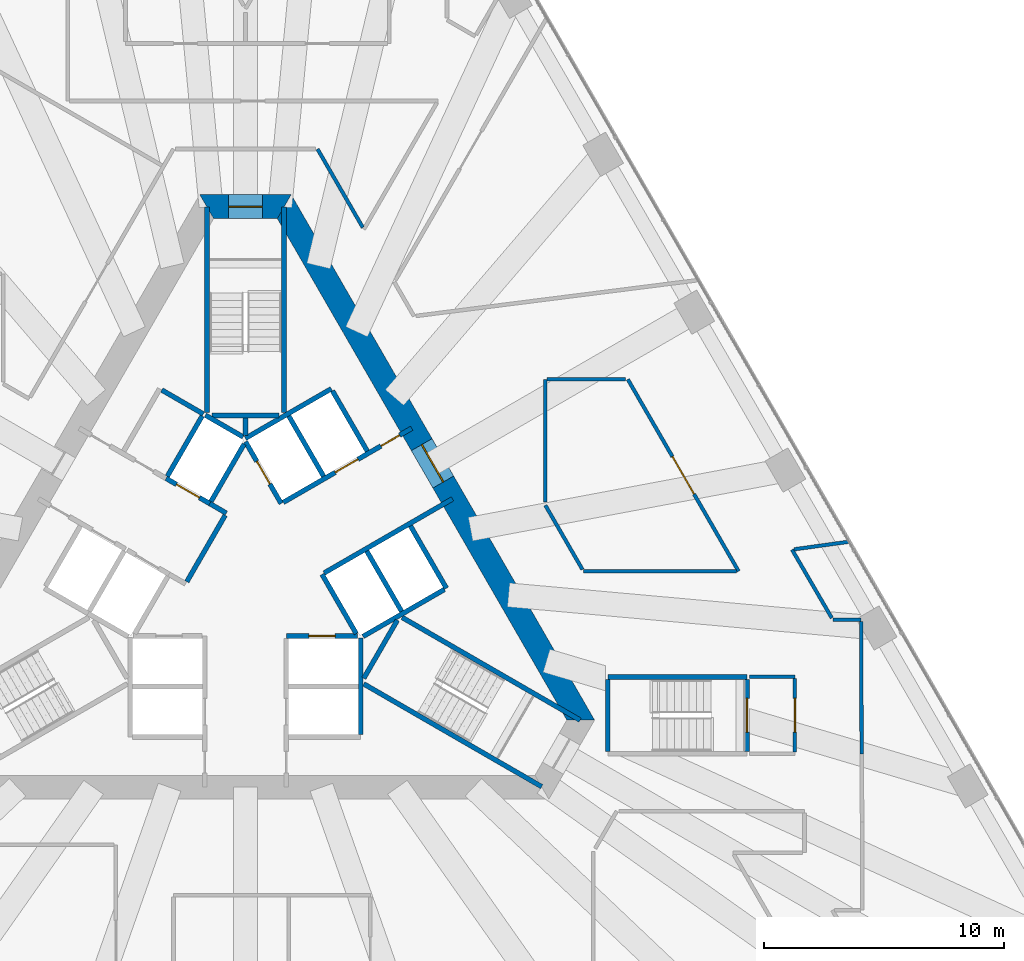
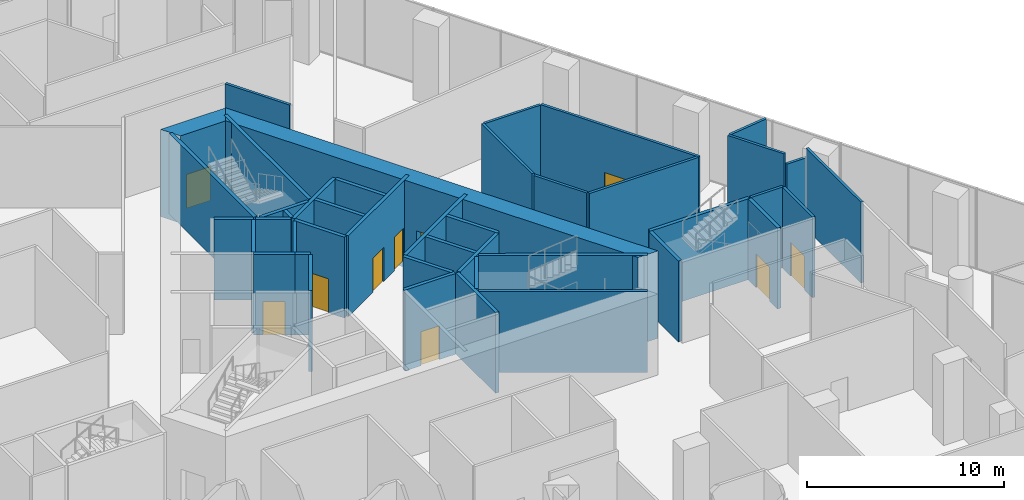
# One storey, part 24 of 29: 43 walls, 10 doors, 10 openings.
"""IFC4 building model written with IfcOpenShell, lengths in metres."""

from ifc_helpers import new_model, si_unit, direction, frame, frame_2d, origin, place, context, subcontext, project, spatial, polyline, rectangle, outline, extrude, material, layer, layer_set, type_object, element, fill, save


model = new_model("IFC4")

# Units and contexts
model_context = context("Model", 3, precision=1e-05, world=origin(), true_north=direction((0.0, 1.0)))
body_context = subcontext(model_context, "Body", "Model", "MODEL_VIEW")
ifc_project = project(units=[si_unit("LENGTHUNIT", "METRE"), si_unit("AREAUNIT", "SQUARE_METRE"), si_unit("VOLUMEUNIT", "CUBIC_METRE"), si_unit("PLANEANGLEUNIT", "RADIAN"), si_unit("MASSUNIT", "GRAM", prefix="KILO")], contexts=[model_context])

# Site, building, storey
site_placement = place(None, origin())
site = spatial("IfcSite", under=ifc_project, at=site_placement, CompositionType="ELEMENT")
building_placement = place(site_placement, origin())
building = spatial("IfcBuilding", under=site, at=building_placement, Name="Triada Interchange Tower", CompositionType="ELEMENT")
storey_placement = place(building_placement, frame((0.0, 0.0, 19.89990234375)))
storey = spatial("IfcBuildingStorey", under=building, at=storey_placement, Name="L03", CompositionType="ELEMENT", Elevation=19.89990234375)

# Wall, opening, door
ifc_material_1 = material(Name="Concrete C30/37", Category="concrete")
ifc_layer_1 = layer(ifc_material_1, 0.199951171875)
ifc_layer_set_1 = layer_set([ifc_layer_1], Name="CORE WALL 200 EI 120")
wall_type_1 = type_object("IfcWallType", Name="CORE WALL 200 EI 120", PredefinedType="SOLIDWALL", material=ifc_layer_set_1)
wall_1_placement = place(storey_placement, frame((1.702880859375, -2.699951171875, 0.0), z_axis=(0.0, 0.0, 1.0), x_axis=(1.0, 0.0, 0.0)))
wall_1 = element("IfcWall", 1, at=wall_1_placement, inside=storey, type_object=wall_type_1, Name="Wall L03 123", PredefinedType="SOLIDWALL", context=body_context, shape_type="SweptSolid", body=[
    extrude(rectangle(XDim=2.97314453125, YDim=0.199951171875, at=frame_2d((1.486572265625, 0.0))), origin(), (0.0, 0.0, 1.0), 5.0),
])
opening_1_placement = place(wall_1_placement, frame((0.93603515625, 0.0, 0.0)))
opening_1 = element("IfcOpeningElement", 2, at=opening_1_placement, cuts=wall_1, Name="Opening LD-LR1", PredefinedType="OPENING", context=body_context, shape_type="SweptSolid", body=[
    extrude(rectangle(XDim=1.10009765625, YDim=2.10009765625, at=frame_2d((0.550048828125, 1.050048828125))), frame((0.0, 0.10986328125, 0.0), z_axis=(0.0, -1.0, 0.0), x_axis=(1.0, 0.0, 0.0)), (0.0, 0.0, 1.0), 0.219970703125),
])
ifc_material_2 = material(Name="Steel S235 door leaf", Category="steel")
door_type_1 = type_object("IfcDoorType", Name="LIFT LANDING DOOR 1100 EI 120", OperationType="SLIDING_TO_LEFT", PredefinedType="DOOR", material=ifc_material_2)
door_1_placement = place(opening_1_placement, origin())
door_1 = element("IfcDoor", 3, at=door_1_placement, inside=storey, type_object=door_type_1, Name="LR1 landing door L03", OperationType="SLIDING_TO_LEFT", OverallHeight=2.10009765625, OverallWidth=1.10009765625, PredefinedType="DOOR", context=body_context, shape_type="SweptSolid", body=[
    extrude(rectangle(XDim=1.10009765625, YDim=2.10009765625, at=frame_2d((0.550048828125, 1.050048828125))), frame((0.0, 0.02490234375, 0.0), z_axis=(0.0, -1.0, 0.0), x_axis=(1.0, 0.0, 0.0)), (0.0, 0.0, 1.0), 0.050048828125),
])
fill(opening_1, door_1)

# Wall
wall_2_placement = place(storey_placement, frame((-0.001953125, 5.5419921875, 0.0), z_axis=(0.0, 0.0, 1.0), x_axis=(0.866103910842, 0.499863997127, 0.0)))
element("IfcWall", 4, at=wall_2_placement, inside=storey, type_object=wall_type_1, Name="Wall L03 124", PredefinedType="SOLIDWALL", context=body_context, shape_type="SweptSolid", body=[
    extrude(rectangle(XDim=4.131103515625, YDim=0.199951171875, at=frame_2d((2.0654296875, 0.0))), origin(), (0.0, 0.0, 1.0), 5.0),
])

# Wall, opening, door
wall_3_placement = place(storey_placement, frame((0.0, 5.39990234375, 0.0), z_axis=(0.0, 0.0, 1.0), x_axis=(0.500103862429, -0.865965430478, 0.0)))
wall_3 = element("IfcWall", 5, at=wall_3_placement, inside=storey, type_object=wall_type_1, Name="Wall L03 125", PredefinedType="SOLIDWALL", context=body_context, shape_type="SweptSolid", body=[
    extrude(rectangle(XDim=2.973388671875, YDim=0.199951171875, at=frame_2d((1.48681640625, 0.0))), origin(), (0.0, 0.0, 1.0), 5.0),
])
opening_2_placement = place(wall_3_placement, frame((0.93701171875, 0.0, 0.0)))
opening_2 = element("IfcOpeningElement", 6, at=opening_2_placement, cuts=wall_3, Name="Opening LD-LR5", PredefinedType="OPENING", context=body_context, shape_type="SweptSolid", body=[
    extrude(rectangle(XDim=1.10009765625, YDim=2.10009765625, at=frame_2d((0.550048828125, 1.050048828125))), frame((0.0, 0.10986328125, 0.0), z_axis=(0.0, -1.0, 0.0), x_axis=(1.0, 0.0, 0.0)), (0.0, 0.0, 1.0), 0.219970703125),
])
door_2_placement = place(opening_2_placement, origin())
door_2 = element("IfcDoor", 7, at=door_2_placement, inside=storey, type_object=door_type_1, Name="LR5 landing door L03", OperationType="SLIDING_TO_LEFT", OverallHeight=2.10009765625, OverallWidth=1.10009765625, PredefinedType="DOOR", context=body_context, shape_type="SweptSolid", body=[
    extrude(rectangle(XDim=1.10009765625, YDim=2.10009765625, at=frame_2d((0.550048828125, 1.050048828125))), frame((0.0, 0.02490234375, 0.0), z_axis=(0.0, -1.0, 0.0), x_axis=(1.0, 0.0, 0.0)), (0.0, 0.0, 1.0), 0.050048828125),
])
fill(opening_2, door_2)

# Wall
wall_4_placement = place(storey_placement, frame((3.18994140625, -0.125, 0.0), z_axis=(0.0, 0.0, 1.0), x_axis=(0.499988658015, -0.866031951983, 0.0)))
element("IfcWall", 8, at=wall_4_placement, inside=storey, type_object=wall_type_1, Name="Wall L03 126", PredefinedType="SOLIDWALL", context=body_context, shape_type="SweptSolid", body=[
    extrude(rectangle(XDim=2.85791015625, YDim=0.199951171875, at=frame_2d((1.428955078125, 0.0))), origin(), (0.0, 0.0, 1.0), 5.0),
])

# Wall, openings, doors
wall_5_placement = place(storey_placement, frame((1.577880859375, 2.8740234375, 0.0), z_axis=(0.0, 0.0, 1.0), x_axis=(0.866055259465, 0.499948284879, 0.0)))
wall_5 = element("IfcWall", 9, at=wall_5_placement, inside=storey, type_object=wall_type_1, Name="Wall L03 127", PredefinedType="SOLIDWALL", context=body_context, shape_type="SweptSolid", body=[
    extrude(rectangle(XDim=6.176513671875, YDim=0.199951171875, at=frame_2d((3.08837890625, 0.0))), origin(), (0.0, 0.0, 1.0), 5.0),
])
opening_3_placement = place(wall_5_placement, frame((2.49609375, 0.0, 0.0)))
opening_3 = element("IfcOpeningElement", 10, at=opening_3_placement, cuts=wall_5, Name="Opening LD-LR6", PredefinedType="OPENING", context=body_context, shape_type="SweptSolid", body=[
    extrude(rectangle(XDim=1.10009765625, YDim=2.10009765625, at=frame_2d((0.550048828125, 1.050048828125))), frame((0.0, 0.10986328125, 0.0), z_axis=(0.0, -1.0, 0.0), x_axis=(1.0, 0.0, 0.0)), (0.0, 0.0, 1.0), 0.219970703125),
])
opening_4_placement = place(wall_5_placement, frame((4.696044921875, 0.0, 0.0)))
opening_4 = element("IfcOpeningElement", 11, at=opening_4_placement, cuts=wall_5, Name="Opening D03-48", PredefinedType="OPENING", context=body_context, shape_type="SweptSolid", body=[
    extrude(rectangle(XDim=0.89990234375, YDim=2.10009765625, at=frame_2d((0.449951171875, 1.050048828125))), frame((0.0, 0.10986328125, 0.0), z_axis=(0.0, -1.0, 0.0), x_axis=(1.0, 0.0, 0.0)), (0.0, 0.0, 1.0), 0.219970703125),
])
door_3_placement = place(opening_3_placement, origin())
door_3 = element("IfcDoor", 12, at=door_3_placement, inside=storey, type_object=door_type_1, Name="LR6 landing door L03", OperationType="SLIDING_TO_LEFT", OverallHeight=2.10009765625, OverallWidth=1.10009765625, PredefinedType="DOOR", context=body_context, shape_type="SweptSolid", body=[
    extrude(rectangle(XDim=1.10009765625, YDim=2.10009765625, at=frame_2d((0.550048828125, 1.050048828125))), frame((0.0, 0.02490234375, 0.0), z_axis=(0.0, -1.0, 0.0), x_axis=(1.0, 0.0, 0.0)), (0.0, 0.0, 1.0), 0.050048828125),
])
fill(opening_3, door_3)
door_type_2 = type_object("IfcDoorType", Name="SERVICE DOOR 900 EI2 45-C5S200", OperationType="NOTDEFINED", PredefinedType="DOOR", material=ifc_material_2)
door_4_placement = place(opening_4_placement, origin())
door_4 = element("IfcDoor", 13, at=door_4_placement, inside=storey, type_object=door_type_2, Name="Door D03-48 L03", OperationType="SINGLE_SWING_LEFT", OverallHeight=2.10009765625, OverallWidth=0.89990234375, PredefinedType="DOOR", context=body_context, shape_type="SweptSolid", body=[
    extrude(rectangle(XDim=0.89990234375, YDim=2.10009765625, at=frame_2d((0.449951171875, 1.050048828125))), frame((0.0, 0.02490234375, 0.0), z_axis=(0.0, -1.0, 0.0), x_axis=(1.0, 0.0, 0.0)), (0.0, 0.0, 1.0), 0.050048828125),
])
fill(opening_4, door_4)

# Walls
wall_6_placement = place(storey_placement, frame((4.800048828125, -6.800048828125, 0.0), z_axis=(0.0, 0.0, 1.0), x_axis=(0.0, 1.0, 0.0)))
element("IfcWall", 14, at=wall_6_placement, inside=storey, type_object=wall_type_1, Name="Wall L03 129", PredefinedType="SOLIDWALL", context=body_context, shape_type="SweptSolid", body=[
    extrude(rectangle(XDim=4.029052734375, YDim=0.199951171875, at=frame_2d((2.0146484375, 0.0))), origin(), (0.0, 0.0, 1.0), 5.0),
])
wall_7_placement = place(storey_placement, frame((3.278076171875, -0.071044921875, 0.0), z_axis=(0.0, 0.0, 1.0), x_axis=(0.865959795517, 0.500113619639, 0.0)))
element("IfcWall", 15, at=wall_7_placement, inside=storey, type_object=wall_type_1, Name="Wall L03 130", PredefinedType="SOLIDWALL", context=body_context, shape_type="SweptSolid", body=[
    extrude(rectangle(XDim=6.1767578125, YDim=0.199951171875, at=frame_2d((3.08837890625, 0.0))), origin(), (0.0, 0.0, 1.0), 5.0),
])
wall_8_placement = place(storey_placement, frame((3.6259765625, 7.52001953125, 0.0), z_axis=(0.0, 0.0, 1.0), x_axis=(0.500060147554, -0.865990674793, 0.0)))
element("IfcWall", 16, at=wall_8_placement, inside=storey, type_object=wall_type_1, Name="Wall L03 131", PredefinedType="SOLIDWALL", context=body_context, shape_type="SweptSolid", body=[
    extrude(rectangle(XDim=2.899658203125, YDim=0.199951171875, at=frame_2d((1.44970703125, 0.0))), origin(), (0.0, 0.0, 1.0), 5.0),
])
wall_9_placement = place(storey_placement, frame((6.8759765625, 1.89111328125, 0.0), z_axis=(0.0, 0.0, 1.0), x_axis=(0.499990139034, -0.866031096941, 0.0)))
element("IfcWall", 17, at=wall_9_placement, inside=storey, type_object=wall_type_1, Name="Wall L03 132", PredefinedType="SOLIDWALL", context=body_context, shape_type="SweptSolid", body=[
    extrude(rectangle(XDim=3.0, YDim=0.199951171875, at=frame_2d((1.5, 0.0))), origin(), (0.0, 0.0, 1.0), 5.0),
])
for number, where, z_axis, x_axis, name in (
    (18, (1.806884765625, 6.469970703125, 0.0), (0.0, 0.0, 1.0), (0.50012328804, -0.865954211699, 0.0), "Wall L03 133"),
    (19, (5.056884765625, 0.841064453125, 0.0), (0.0, 0.0, 1.0), (0.50012328804, -0.865954211699, 0.0), "Wall L03 134"),
):
    element("IfcWall", number, at=place(storey_placement, frame(where, z_axis=z_axis, x_axis=x_axis)), inside=storey, type_object=wall_type_1, Name=name, PredefinedType="SOLIDWALL", context=body_context, shape_type="SweptSolid", body=[
        extrude(rectangle(XDim=2.899658203125, YDim=0.199951171875, at=frame_2d((1.44970703125, 0.0))), origin(), (0.0, 0.0, 1.0), 5.0),
    ])
wall_10_placement = place(storey_placement, frame((4.89990234375, -2.714111328125, 0.0), z_axis=(0.0, 0.0, 1.0), x_axis=(0.865992350556, 0.500057245502, 0.0)))
element("IfcWall", 20, at=wall_10_placement, inside=storey, type_object=wall_type_1, Name="Wall L03 135", PredefinedType="SOLIDWALL", context=body_context, shape_type="SweptSolid", body=[
    extrude(rectangle(XDim=3.91357421875, YDim=0.199951171875, at=frame_2d((1.956787109375, 0.0))), origin(), (0.0, 0.0, 1.0), 5.0),
])
ifc_layer_2 = layer(ifc_material_1, 0.199951171875)
ifc_layer_set_2 = layer_set([ifc_layer_2], Name="CORE WALL 200 EI 180")
wall_type_2 = type_object("IfcWallType", Name="CORE WALL 200 EI 180", PredefinedType="SOLIDWALL", material=ifc_layer_set_2)
wall_11_placement = place(storey_placement, frame((-1.488037109375, 2.822021484375, 0.0), z_axis=(0.0, 0.0, 1.0), x_axis=(0.866236612152, -0.499633997809, 0.0)))
element("IfcWall", 21, at=wall_11_placement, inside=storey, type_object=wall_type_2, Name="Wall L03 139", PredefinedType="SOLIDWALL", context=body_context, shape_type="SweptSolid", body=[
    extrude(rectangle(XDim=0.79638671875, YDim=0.199951171875, at=frame_2d((0.398193359375, 0.0))), origin(), (0.0, 0.0, 1.0), 5.0),
])
wall_12_placement = place(storey_placement, frame((-3.489013671875, 7.556884765625, 0.0), z_axis=(0.0, 0.0, 1.0), x_axis=(0.866010750942, -0.50002537861, 0.0)))
element("IfcWall", 22, at=wall_12_placement, inside=storey, type_object=wall_type_2, Name="Wall L03 141", PredefinedType="SOLIDWALL", context=body_context, shape_type="SweptSolid", body=[
    extrude(rectangle(XDim=2.0, YDim=0.199951171875, at=frame_2d((1.0, 0.0))), origin(), (0.0, 0.0, 1.0), 5.0),
])
wall_13_placement = place(storey_placement, frame((-2.444091796875, -0.43310546875, 0.0), z_axis=(0.0, 0.0, 1.0), x_axis=(0.500035624827, 0.866004834804, 0.0)))
element("IfcWall", 23, at=wall_13_placement, inside=storey, type_object=wall_type_2, Name="Wall L03 142", PredefinedType="SOLIDWALL", context=body_context, shape_type="SweptSolid", body=[
    extrude(rectangle(XDim=3.194091796875, YDim=0.199951171875, at=frame_2d((1.59716796875, 0.0))), origin(), (0.0, 0.0, 1.0), 5.0),
])

# Wall, opening, door
wall_14_placement = place(storey_placement, frame((-3.30908203125, 3.873046875, 0.0), z_axis=(0.0, 0.0, 1.0), x_axis=(0.866098583652, -0.499873227325, 0.0)))
wall_14 = element("IfcWall", 24, at=wall_14_placement, inside=storey, type_object=wall_type_2, Name="Shaft wall FF2 L03 147", PredefinedType="SOLIDWALL", context=body_context, shape_type="SweptSolid", body=[
    extrude(rectangle(XDim=2.1025390625, YDim=0.199951171875, at=frame_2d((1.05126953125, 0.0))), origin(), (0.0, 0.0, 1.0), 5.0),
])
opening_5_placement = place(wall_14_placement, frame((0.501953125, 0.0, 0.0)))
opening_5 = element("IfcOpeningElement", 25, at=opening_5_placement, cuts=wall_14, Name="Opening LD-FF2", PredefinedType="OPENING", context=body_context, shape_type="SweptSolid", body=[
    extrude(rectangle(XDim=1.10009765625, YDim=2.10009765625, at=frame_2d((0.550048828125, 1.050048828125))), frame((0.0, 0.10986328125, 0.0), z_axis=(0.0, -1.0, 0.0), x_axis=(1.0, 0.0, 0.0)), (0.0, 0.0, 1.0), 0.219970703125),
])
door_5_placement = place(opening_5_placement, origin())
door_5 = element("IfcDoor", 26, at=door_5_placement, inside=storey, type_object=door_type_1, Name="FF2 landing door L03", OperationType="SLIDING_TO_LEFT", OverallHeight=2.10009765625, OverallWidth=1.10009765625, PredefinedType="DOOR", context=body_context, shape_type="SweptSolid", body=[
    extrude(rectangle(XDim=1.10009765625, YDim=2.10009765625, at=frame_2d((0.550048828125, 1.050048828125))), frame((0.0, 0.02490234375, 0.0), z_axis=(0.0, -1.0, 0.0), x_axis=(1.0, 0.0, 0.0)), (0.0, 0.0, 1.0), 0.050048828125),
])
fill(opening_5, door_5)

# Walls
wall_15_placement = place(storey_placement, frame((-3.257080078125, 3.958984375, 0.0), z_axis=(0.0, 0.0, 1.0), x_axis=(0.50012328804, 0.865954211699, 0.0)))
element("IfcWall", 27, at=wall_15_placement, inside=storey, type_object=wall_type_2, Name="Shaft wall FF2 L03 148", PredefinedType="SOLIDWALL", context=body_context, shape_type="SweptSolid", body=[
    extrude(rectangle(XDim=2.899658203125, YDim=0.199951171875, at=frame_2d((1.44970703125, 0.0))), origin(), (0.0, 0.0, 1.0), 5.0),
])
wall_16_placement = place(storey_placement, frame((-1.669921875, 6.507080078125, 0.0), z_axis=(0.0, 0.0, 1.0), x_axis=(0.865941441609, -0.500145398563, 0.0)))
element("IfcWall", 28, at=wall_16_placement, inside=storey, type_object=wall_type_2, Name="Shaft wall FF2 L03 149", PredefinedType="SOLIDWALL", context=body_context, shape_type="SweptSolid", body=[
    extrude(rectangle(XDim=1.8154296875, YDim=0.199951171875, at=frame_2d((0.90771484375, 0.0))), origin(), (0.0, 0.0, 1.0), 5.0),
])
wall_17_placement = place(storey_placement, frame((-1.43798828125, 2.908935546875, 0.0), z_axis=(0.0, 0.0, 1.0), x_axis=(0.499829630636, 0.866123744241, 0.0)))
element("IfcWall", 29, at=wall_17_placement, inside=storey, type_object=wall_type_2, Name="Shaft wall FF2 L03 150", PredefinedType="SOLIDWALL", context=body_context, shape_type="SweptSolid", body=[
    extrude(rectangle(XDim=2.7607421875, YDim=0.199951171875, at=frame_2d((1.38037109375, 0.0))), origin(), (0.0, 0.0, 1.0), 5.0),
])
ifc_layer_3 = layer(ifc_material_1, 0.199951171875)
ifc_layer_set_3 = layer_set([ifc_layer_3], Name="CORE WALL 200 EI 90")
wall_type_3 = type_object("IfcWallType", Name="CORE WALL 200 EI 90", PredefinedType="SOLIDWALL", material=ifc_layer_set_3)
wall_18_placement = place(storey_placement, frame((0.0, 5.657958984375, 0.0), z_axis=(0.0, 0.0, 1.0), x_axis=(0.0, 1.0, 0.0)))
element("IfcWall", 30, at=wall_18_placement, inside=storey, type_object=wall_type_3, Name="Wall L03 151", PredefinedType="SOLIDWALL", context=body_context, shape_type="SweptSolid", body=[
    extrude(rectangle(XDim=0.741943359375, YDim=0.199951171875, at=frame_2d((0.37109375, 0.0))), origin(), (0.0, 0.0, 1.0), 5.0),
])
ifc_layer_4 = layer(ifc_material_1, 0.199951171875)
ifc_layer_set_4 = layer_set([ifc_layer_4], Name="CORE WALL 200 REI 240")
wall_type_4 = type_object("IfcWallType", Name="CORE WALL 200 REI 240", PredefinedType="SOLIDWALL", material=ifc_layer_set_4)
wall_19_placement = place(storey_placement, frame((1.60009765625, 6.614990234375, 0.0), z_axis=(0.0, 0.0, 1.0), x_axis=(0.0, 1.0, 0.0)))
element("IfcWall", 31, at=wall_19_placement, inside=storey, type_object=wall_type_4, Name="Wall L03 155", PredefinedType="SOLIDWALL", context=body_context, shape_type="SweptSolid", body=[
    extrude(rectangle(XDim=8.56494140625, YDim=0.199951171875, at=frame_2d((4.282470703125, 0.0))), origin(), (0.0, 0.0, 1.0), 5.0),
])
wall_20_placement = place(storey_placement, frame((-1.39990234375, 6.5, 0.0), z_axis=(0.0, 0.0, 1.0), x_axis=(1.0, 0.0, 0.0)))
element("IfcWall", 32, at=wall_20_placement, inside=storey, type_object=wall_type_4, Name="Wall L03 156", PredefinedType="SOLIDWALL", context=body_context, shape_type="SweptSolid", body=[
    extrude(rectangle(XDim=2.7998046875, YDim=0.199951171875, at=frame_2d((1.39990234375, 0.0))), origin(), (0.0, 0.0, 1.0), 5.0),
])
wall_21_placement = place(storey_placement, frame((-1.60009765625, 6.614990234375, 0.0), z_axis=(0.0, 0.0, 1.0), x_axis=(0.0, 1.0, 0.0)))
element("IfcWall", 33, at=wall_21_placement, inside=storey, type_object=wall_type_4, Name="Wall L03 157", PredefinedType="SOLIDWALL", context=body_context, shape_type="SweptSolid", body=[
    extrude(rectangle(XDim=8.56494140625, YDim=0.199951171875, at=frame_2d((4.282470703125, 0.0))), origin(), (0.0, 0.0, 1.0), 5.0),
])
wall_22_placement = place(storey_placement, frame((4.928955078125, -4.693115234375, 0.0), z_axis=(0.0, 0.0, 1.0), x_axis=(0.865987152174, -0.50006624788, 0.0)))
element("IfcWall", 34, at=wall_22_placement, inside=storey, type_object=wall_type_4, Name="Wall L03 158", PredefinedType="SOLIDWALL", context=body_context, shape_type="SweptSolid", body=[
    extrude(rectangle(XDim=8.564697265625, YDim=0.199951171875, at=frame_2d((4.2822265625, 0.0))), origin(), (0.0, 0.0, 1.0), 5.0),
])
wall_23_placement = place(storey_placement, frame((4.928955078125, -4.4619140625, 0.0), z_axis=(0.0, 0.0, 1.0), x_axis=(0.500200581029, 0.865909567298, 0.0)))
element("IfcWall", 35, at=wall_23_placement, inside=storey, type_object=wall_type_4, Name="Wall L03 159", PredefinedType="SOLIDWALL", context=body_context, shape_type="SweptSolid", body=[
    extrude(rectangle(XDim=2.799072265625, YDim=0.199951171875, at=frame_2d((1.3994140625, 0.0))), origin(), (0.0, 0.0, 1.0), 5.0),
])
wall_24_placement = place(storey_placement, frame((6.529052734375, -1.922119140625, 0.0), z_axis=(0.0, 0.0, 1.0), x_axis=(0.866036527536, -0.499980732602, 0.0)))
element("IfcWall", 36, at=wall_24_placement, inside=storey, type_object=wall_type_4, Name="Wall L03 160", PredefinedType="SOLIDWALL", context=body_context, shape_type="SweptSolid", body=[
    extrude(rectangle(XDim=8.564208984375, YDim=0.199951171875, at=frame_2d((4.2822265625, 0.0))), origin(), (0.0, 0.0, 1.0), 5.0),
])
wall_25_placement = place(storey_placement, frame((15.10009765625, -4.39990234375, 0.0), z_axis=(0.0, 0.0, 1.0), x_axis=(1.0, 0.0, 0.0)))
element("IfcWall", 37, at=wall_25_placement, inside=storey, type_object=wall_type_4, Name="Wall L03 163", PredefinedType="SOLIDWALL", context=body_context, shape_type="SweptSolid", body=[
    extrude(rectangle(XDim=5.7998046875, YDim=0.199951171875, at=frame_2d((2.89990234375, 0.0))), origin(), (0.0, 0.0, 1.0), 5.0),
])
wall_26_placement = place(storey_placement, frame((15.10009765625, -7.5, 0.0), z_axis=(0.0, 0.0, 1.0), x_axis=(0.0, 1.0, 0.0)))
element("IfcWall", 38, at=wall_26_placement, inside=storey, type_object=wall_type_4, Name="Wall L03 175", PredefinedType="SOLIDWALL", context=body_context, shape_type="SweptSolid", body=[
    extrude(rectangle(XDim=3.0, YDim=0.199951171875, at=frame_2d((1.5, 0.0))), origin(), (0.0, 0.0, 1.0), 5.0),
])

# Wall, opening, door
wall_27_placement = place(storey_placement, frame((20.89990234375, -7.5, 0.0), z_axis=(0.0, 0.0, 1.0), x_axis=(0.0, 1.0, 0.0)))
wall_27 = element("IfcWall", 39, at=wall_27_placement, inside=storey, type_object=wall_type_4, Name="Wall L03 176", PredefinedType="SOLIDWALL", context=body_context, shape_type="SweptSolid", body=[
    extrude(rectangle(XDim=3.0, YDim=0.199951171875, at=frame_2d((1.5, 0.0))), origin(), (0.0, 0.0, 1.0), 5.0),
])
opening_6_placement = place(wall_27_placement, frame((0.800048828125, 0.0, 0.0)))
opening_6 = element("IfcOpeningElement", 40, at=opening_6_placement, cuts=wall_27, Name="Opening D03-13", PredefinedType="OPENING", context=body_context, shape_type="SweptSolid", body=[
    extrude(rectangle(XDim=1.39990234375, YDim=2.10009765625, at=frame_2d((0.699951171875, 1.050048828125))), frame((0.0, 0.10986328125, 0.0), z_axis=(0.0, -1.0, 0.0), x_axis=(1.0, 0.0, 0.0)), (0.0, 0.0, 1.0), 0.219970703125),
])
door_type_3 = type_object("IfcDoorType", Name="STAIR DOOR 1400 EI2 90-C5S200", OperationType="DOUBLE_DOOR_SINGLE_SWING", PredefinedType="DOOR", material=ifc_material_2)
door_6_placement = place(opening_6_placement, origin())
door_6 = element("IfcDoor", 41, at=door_6_placement, inside=storey, type_object=door_type_3, Name="Door D03-13 L03", OperationType="DOUBLE_DOOR_SINGLE_SWING", OverallHeight=2.10009765625, OverallWidth=1.39990234375, PredefinedType="DOOR", context=body_context, shape_type="SweptSolid", body=[
    extrude(rectangle(XDim=1.39990234375, YDim=2.10009765625, at=frame_2d((0.699951171875, 1.050048828125))), frame((0.0, 0.02490234375, 0.0), z_axis=(0.0, -1.0, 0.0), x_axis=(1.0, 0.0, 0.0)), (0.0, 0.0, 1.0), 0.050048828125),
])
fill(opening_6, door_6)

ifc_material_3 = material(Name="Concrete C70/85", Category="concrete")
ifc_layer_5 = layer(ifc_material_3, 1.0)
ifc_layer_set_5 = layer_set([ifc_layer_5], Name="Core wall P 1000")
wall_type_5 = type_object("IfcWallType", Name="Core wall P 1000", PredefinedType="SHEAR", material=ifc_layer_set_5)
wall_28_placement = place(storey_placement, frame((1.616943359375, 15.199951171875, -0.39990234375), z_axis=(0.0, 0.0, 1.0), x_axis=(-1.0, 0.0, 0.0)))
wall_28 = element("IfcWall", 42, at=wall_28_placement, inside=storey, type_object=wall_type_5, Name="Core wall WP01 L03", PredefinedType="SHEAR", context=body_context, shape_type="SweptSolid", body=[
    extrude(outline(polyline([(-0.2880859375, -0.5), (1.616943359375, -0.5), (3.52197265625, -0.5), (2.945068359375, 0.5), (1.6171875, 0.5), (0.2890625, 0.5), (-0.2880859375, -0.5)])), origin(), (0.0, 0.0, 1.0), 5.39990234375),
])
opening_7_placement = place(wall_28_placement, frame((0.9169921875, 0.0, 0.39990234375)))
opening_7 = element("IfcOpeningElement", 43, at=opening_7_placement, cuts=wall_28, Name="Opening D03-41", PredefinedType="OPENING", context=body_context, shape_type="SweptSolid", body=[
    extrude(rectangle(XDim=1.39990234375, YDim=2.10009765625, at=frame_2d((0.699951171875, 1.050048828125))), frame((0.0, 0.510009765625, 0.0), z_axis=(0.0, -1.0, 0.0), x_axis=(1.0, 0.0, 0.0)), (0.0, 0.0, 1.0), 1.02001953125),
])
door_7_placement = place(opening_7_placement, origin())
door_7 = element("IfcDoor", 44, at=door_7_placement, inside=storey, type_object=door_type_3, Name="Door D03-41 L03", OperationType="DOUBLE_DOOR_SINGLE_SWING", OverallHeight=2.10009765625, OverallWidth=1.39990234375, PredefinedType="DOOR", context=body_context, shape_type="SweptSolid", body=[
    extrude(rectangle(XDim=1.39990234375, YDim=2.10009765625, at=frame_2d((0.699951171875, 1.050048828125))), frame((0.0, 0.02490234375, 0.0), z_axis=(0.0, -1.0, 0.0), x_axis=(1.0, 0.0, 0.0)), (0.0, 0.0, 1.0), 0.050048828125),
])
fill(opening_7, door_7)

wall_29_placement = place(storey_placement, frame((13.971923828125, -6.199951171875, -0.39990234375), z_axis=(0.0, 0.0, 1.0), x_axis=(-0.499992141631, 0.866029940768, 0.0)))
wall_29 = element("IfcWall", 45, at=wall_29_placement, inside=storey, type_object=wall_type_5, Name="Core wall WP06 L03", PredefinedType="SHEAR", context=body_context, shape_type="SweptSolid", body=[
    extrude(outline(polyline([(-0.2880859375, -0.5), (1.656982421875, -0.5), (3.602294921875, -0.499755859375), (5.54736328125, -0.499755859375), (7.49267578125, -0.499755859375), (9.437744140625, -0.49951171875), (11.3828125, -0.49951171875), (13.328125, -0.49951171875), (15.273193359375, -0.49951171875), (17.21826171875, -0.499267578125), (19.16357421875, -0.499267578125), (21.108642578125, -0.499267578125), (23.053955078125, -0.4990234375), (24.9990234375, -0.4990234375), (24.422119140625, 0.5), (22.565673828125, 0.5), (20.709228515625, 0.5), (18.852783203125, 0.5), (16.996337890625, 0.5), (15.139892578125, 0.5), (13.283447265625, 0.5), (11.4267578125, 0.5), (9.5703125, 0.5), (7.7138671875, 0.5), (5.857421875, 0.5), (4.0009765625, 0.5), (2.14453125, 0.5), (0.2880859375, 0.5), (-0.2880859375, -0.5)])), origin(), (0.0, 0.0, 1.0), 5.39990234375),
])
opening_8_placement = place(wall_29_placement, frame((11.455078125, 0.0, 0.39990234375)))
opening_8 = element("IfcOpeningElement", 46, at=opening_8_placement, cuts=wall_29, Name="Opening D03-40", PredefinedType="OPENING", context=body_context, shape_type="SweptSolid", body=[
    extrude(rectangle(XDim=1.800048828125, YDim=2.10009765625, at=frame_2d((0.89990234375, 1.050048828125))), frame((0.0, 0.510009765625, 0.0), z_axis=(0.0, -1.0, 0.0), x_axis=(1.0, 0.0, 0.0)), (0.0, 0.0, 1.0), 1.02001953125),
])
door_type_4 = type_object("IfcDoorType", Name="LOBBY DOOR 1800 EI2 90-C5S200", OperationType="DOUBLE_DOOR_SINGLE_SWING", PredefinedType="DOOR", material=ifc_material_2)
door_8_placement = place(opening_8_placement, origin())
door_8 = element("IfcDoor", 47, at=door_8_placement, inside=storey, type_object=door_type_4, Name="Door D03-40 L03", OperationType="DOUBLE_DOOR_SINGLE_SWING", OverallHeight=2.10009765625, OverallWidth=1.800048828125, PredefinedType="DOOR", context=body_context, shape_type="SweptSolid", body=[
    extrude(rectangle(XDim=1.800048828125, YDim=2.10009765625, at=frame_2d((0.89990234375, 1.050048828125))), frame((0.0, 0.02490234375, 0.0), z_axis=(0.0, -1.0, 0.0), x_axis=(1.0, 0.0, 0.0)), (0.0, 0.0, 1.0), 0.050048828125),
])
fill(opening_8, door_8)

# Wall
ifc_material_4 = material(Name="Gypsum board partition")
ifc_layer_6 = layer(ifc_material_4, 0.14990234375)
ifc_layer_set_6 = layer_set([ifc_layer_6], Name="PARTITION 150 EI 180")
wall_type_6 = type_object("IfcWallType", Name="PARTITION 150 EI 180", PredefinedType="PARTITIONING", material=ifc_layer_set_6)
wall_30_placement = place(storey_placement, frame((21.0, -4.39990234375, 0.0), z_axis=(0.0, 0.0, 1.0), x_axis=(1.0, 0.0, 0.0)))
element("IfcWall", 48, at=wall_30_placement, inside=storey, type_object=wall_type_6, Name="Wall L03 10", PredefinedType="PARTITIONING", context=body_context, shape_type="SweptSolid", body=[
    extrude(rectangle(XDim=1.89990234375, YDim=0.14990234375, at=frame_2d((0.949951171875, 0.0))), origin(), (0.0, 0.0, 1.0), 5.0),
])

# Wall, opening, door
wall_31_placement = place(storey_placement, frame((22.89990234375, -7.52490234375, 0.0), z_axis=(0.0, 0.0, 1.0), x_axis=(0.0, 1.0, 0.0)))
wall_31 = element("IfcWall", 49, at=wall_31_placement, inside=storey, type_object=wall_type_6, Name="Wall L03 24", PredefinedType="PARTITIONING", context=body_context, shape_type="SweptSolid", body=[
    extrude(rectangle(XDim=3.0498046875, YDim=0.14990234375, at=frame_2d((1.52490234375, 0.0))), origin(), (0.0, 0.0, 1.0), 5.0),
])
opening_9_placement = place(wall_31_placement, frame((0.824951171875, 0.0, 0.0)))
opening_9 = element("IfcOpeningElement", 50, at=opening_9_placement, cuts=wall_31, Name="Opening D03-14", PredefinedType="OPENING", context=body_context, shape_type="SweptSolid", body=[
    extrude(rectangle(XDim=1.39990234375, YDim=2.10009765625, at=frame_2d((0.699951171875, 1.050048828125))), frame((0.0, 0.0849609375, 0.0), z_axis=(0.0, -1.0, 0.0), x_axis=(1.0, 0.0, 0.0)), (0.0, 0.0, 1.0), 0.169921875),
])
door_9_placement = place(opening_9_placement, origin())
door_9 = element("IfcDoor", 51, at=door_9_placement, inside=storey, type_object=door_type_3, Name="Door D03-14 L03", OperationType="DOUBLE_DOOR_SINGLE_SWING", OverallHeight=2.10009765625, OverallWidth=1.39990234375, PredefinedType="DOOR", context=body_context, shape_type="SweptSolid", body=[
    extrude(rectangle(XDim=1.39990234375, YDim=2.10009765625, at=frame_2d((0.699951171875, 1.050048828125))), frame((0.0, 0.02490234375, 0.0), z_axis=(0.0, -1.0, 0.0), x_axis=(1.0, 0.0, 0.0)), (0.0, 0.0, 1.0), 0.050048828125),
])
fill(opening_9, door_9)

# Walls
ifc_layer_7 = layer(ifc_material_4, 0.14990234375)
ifc_layer_set_7 = layer_set([ifc_layer_7], Name="PARTITION 150 EI 90")
wall_type_7 = type_object("IfcWallType", Name="PARTITION 150 EI 90", PredefinedType="PARTITIONING", material=ifc_layer_set_7)
wall_32_placement = place(storey_placement, frame((24.47998046875, -2.02001953125, 0.0), z_axis=(0.0, 0.0, 1.0), x_axis=(1.0, 0.0, 0.0)))
element("IfcWall", 52, at=wall_32_placement, inside=storey, type_object=wall_type_7, Name="Wall L03 31", PredefinedType="PARTITIONING", context=body_context, shape_type="SweptSolid", body=[
    extrude(rectangle(XDim=1.179931640625, YDim=0.14990234375, at=frame_2d((0.58984375, 0.0))), origin(), (0.0, 0.0, 1.0), 4.400146484375),
])
wall_33_placement = place(storey_placement, frame((3.001953125, 17.60009765625, 0.0), z_axis=(0.0, 0.0, 1.0), x_axis=(0.499998569178, -0.866026229868, 0.0)))
element("IfcWall", 53, at=wall_33_placement, inside=storey, type_object=wall_type_7, Name="Wall L03 61", PredefinedType="PARTITIONING", context=body_context, shape_type="SweptSolid", body=[
    extrude(rectangle(XDim=3.77587890625, YDim=0.14990234375, at=frame_2d((1.887939453125, 0.0))), origin(), (0.0, 0.0, 1.0), 5.0),
])

# Wall, opening, door
wall_34_placement = place(storey_placement, frame((15.93505859375, 8.0, 0.0), z_axis=(0.0, 0.0, 1.0), x_axis=(0.500007658653, -0.866020982014, 0.0)))
wall_34 = element("IfcWall", 54, at=wall_34_placement, inside=storey, type_object=wall_type_7, Name="Wall L03 76", PredefinedType="PARTITIONING", context=body_context, shape_type="SweptSolid", body=[
    extrude(rectangle(XDim=9.237548828125, YDim=0.14990234375, at=frame_2d((4.61865234375, 0.0))), origin(), (0.0, 0.0, 1.0), 5.0),
])
opening_10_placement = place(wall_34_placement, frame((3.718994140625, 0.0, 0.0)))
opening_10 = element("IfcOpeningElement", 55, at=opening_10_placement, cuts=wall_34, Name="Opening D03-27", PredefinedType="OPENING", context=body_context, shape_type="SweptSolid", body=[
    extrude(rectangle(XDim=1.800048828125, YDim=2.10009765625, at=frame_2d((0.89990234375, 1.050048828125))), frame((0.0, 0.0849609375, 0.0), z_axis=(0.0, -1.0, 0.0), x_axis=(1.0, 0.0, 0.0)), (0.0, 0.0, 1.0), 0.169921875),
])
door_type_5 = type_object("IfcDoorType", Name="SHOP AND HALL ENTRANCE DOOR 1800 EI2 90-C5S200", OperationType="DOUBLE_DOOR_SINGLE_SWING", PredefinedType="DOOR", material=ifc_material_2)
door_10_placement = place(opening_10_placement, origin())
door_10 = element("IfcDoor", 56, at=door_10_placement, inside=storey, type_object=door_type_5, Name="Door D03-27 L03", OperationType="DOUBLE_DOOR_SINGLE_SWING", OverallHeight=2.10009765625, OverallWidth=1.800048828125, PredefinedType="DOOR", context=body_context, shape_type="SweptSolid", body=[
    extrude(rectangle(XDim=1.800048828125, YDim=2.10009765625, at=frame_2d((0.89990234375, 1.050048828125))), frame((0.0, 0.02490234375, 0.0), z_axis=(0.0, -1.0, 0.0), x_axis=(1.0, 0.0, 0.0)), (0.0, 0.0, 1.0), 0.050048828125),
])
fill(opening_10, door_10)

# Walls
wall_35_placement = place(storey_placement, frame((25.659912109375, -2.094970703125, 0.0), z_axis=(0.0, 0.0, 1.0), x_axis=(0.00362332472, -0.999993435737, 0.0)))
element("IfcWall", 57, at=wall_35_placement, inside=storey, type_object=wall_type_7, Name="Wall L03 98", PredefinedType="PARTITIONING", context=body_context, shape_type="SweptSolid", body=[
    extrude(rectangle(XDim=5.525146484375, YDim=0.14990234375, at=frame_2d((2.7626953125, 0.0))), origin(), (0.0, 0.0, 1.0), 5.0),
])
wall_36_placement = place(storey_placement, frame((22.780029296875, 0.904052734375, 0.0), z_axis=(0.0, 0.0, 1.0), x_axis=(0.502516154273, -0.864567819604, 0.0)))
element("IfcWall", 58, at=wall_36_placement, inside=storey, type_object=wall_type_7, Name="Wall L03 99", PredefinedType="PARTITIONING", context=body_context, shape_type="SweptSolid", body=[
    extrude(rectangle(XDim=3.29541015625, YDim=0.14990234375, at=frame_2d((1.647705078125, 0.0))), origin(), (0.0, 0.0, 1.0), 5.0),
])
wall_37_placement = place(storey_placement, frame((22.860107421875, 0.9150390625, 0.0), z_axis=(0.0, 0.0, 1.0), x_axis=(0.990527369276, 0.137315442376, 0.0)))
element("IfcWall", 59, at=wall_37_placement, inside=storey, type_object=wall_type_7, Name="Wall L03 100", PredefinedType="PARTITIONING", context=body_context, shape_type="SweptSolid", body=[
    extrude(rectangle(XDim=2.31494140625, YDim=0.14990234375, at=frame_2d((1.157470703125, 0.0))), origin(), (0.0, 0.0, 1.0), 5.0),
])
wall_38_placement = place(storey_placement, frame((14.0869140625, 0.0, 0.0), z_axis=(0.0, 0.0, 1.0), x_axis=(1.0, 0.0, 0.0)))
element("IfcWall", 60, at=wall_38_placement, inside=storey, type_object=wall_type_7, Name="Wall L03 102", PredefinedType="PARTITIONING", context=body_context, shape_type="SweptSolid", body=[
    extrude(rectangle(XDim=6.380126953125, YDim=0.14990234375, at=frame_2d((3.18994140625, 0.0))), origin(), (0.0, 0.0, 1.0), 5.0),
])
wall_39_placement = place(storey_placement, frame((12.5, 2.7490234375, 0.0), z_axis=(0.0, 0.0, 1.0), x_axis=(0.500016752221, -0.866015731669, 0.0)))
element("IfcWall", 61, at=wall_39_placement, inside=storey, type_object=wall_type_7, Name="Wall L03 111", PredefinedType="PARTITIONING", context=body_context, shape_type="SweptSolid", body=[
    extrude(rectangle(XDim=3.087890625, YDim=0.14990234375, at=frame_2d((1.5439453125, 0.0))), origin(), (0.0, 0.0, 1.0), 5.0),
])
wall_40_placement = place(storey_placement, frame((12.5, 2.89892578125, 0.0), z_axis=(0.0, 0.0, 1.0), x_axis=(0.0, 1.0, 0.0)))
element("IfcWall", 62, at=wall_40_placement, inside=storey, type_object=wall_type_7, Name="Wall L03 112", PredefinedType="PARTITIONING", context=body_context, shape_type="SweptSolid", body=[
    extrude(rectangle(XDim=5.10107421875, YDim=0.14990234375, at=frame_2d((2.550537109375, 0.0))), origin(), (0.0, 0.0, 1.0), 5.0),
])
wall_41_placement = place(storey_placement, frame((12.574951171875, 8.0, 0.0), z_axis=(0.0, 0.0, 1.0), x_axis=(1.0, 0.0, 0.0)))
element("IfcWall", 63, at=wall_41_placement, inside=storey, type_object=wall_type_7, Name="Wall L03 113", PredefinedType="PARTITIONING", context=body_context, shape_type="SweptSolid", body=[
    extrude(rectangle(XDim=3.27294921875, YDim=0.14990234375, at=frame_2d((1.636474609375, 0.0))), origin(), (0.0, 0.0, 1.0), 5.0),
])

save(model, "model.ifc")
